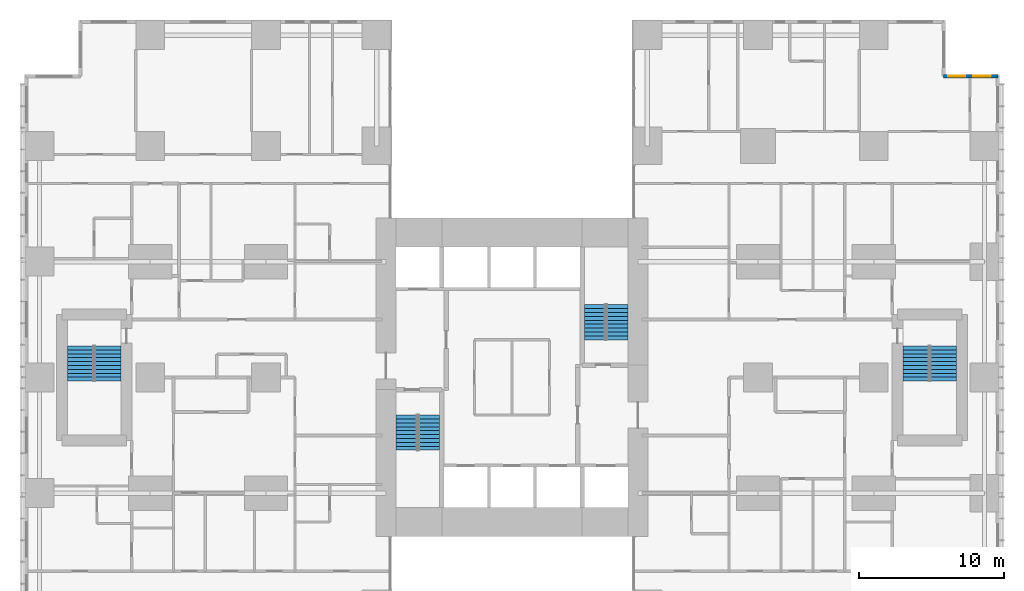
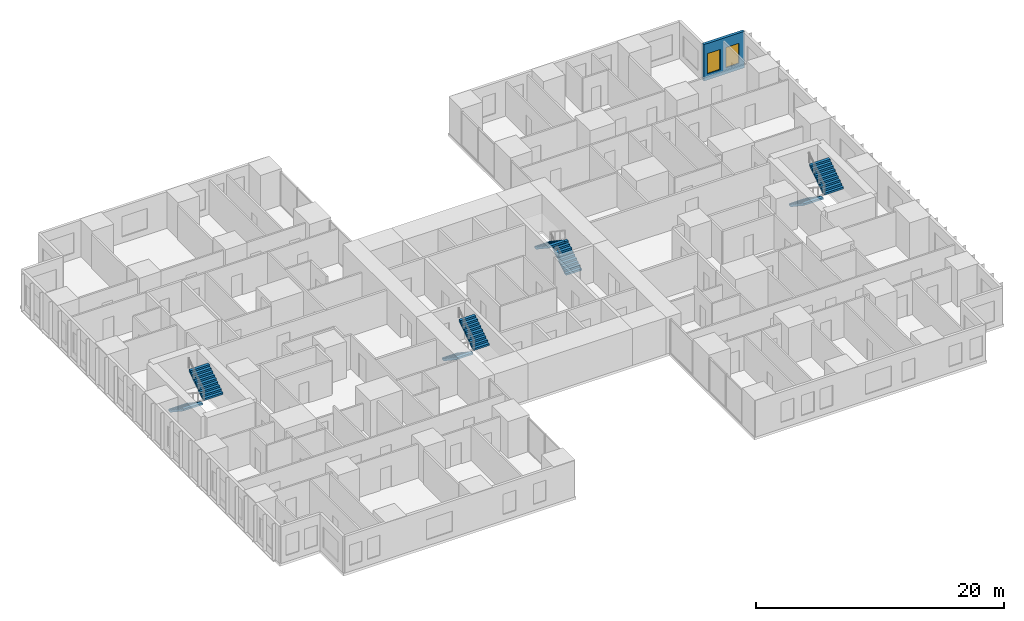
# One storey, part 19 of 20: 8 stair flights, 2 windows, 1 wall, 2 openings, 4 elements without a shape of their own.
"""IFC4 building model written with IfcOpenShell, lengths in metres."""

from ifc_helpers import new_model, si_unit, direction, frame, frame_2d, origin, place, context, subcontext, project, spatial, polyline, rectangle, outline, extrude, material, layer, layer_set, type_object, element, fill, aggregate, save


model = new_model("IFC4")

# Units and contexts
model_context = context("Model", 3, precision=1e-05, world=origin(), true_north=direction((0.0, 1.0)))
body_context = subcontext(model_context, "Body", "Model", "MODEL_VIEW")
ifc_project = project(units=[si_unit("LENGTHUNIT", "METRE"), si_unit("AREAUNIT", "SQUARE_METRE"), si_unit("VOLUMEUNIT", "CUBIC_METRE"), si_unit("PLANEANGLEUNIT", "RADIAN"), si_unit("MASSUNIT", "GRAM", prefix="KILO")], contexts=[model_context])

# Site, building, storey
site_placement = place(None, origin())
site = spatial("IfcSite", under=ifc_project, at=site_placement, CompositionType="ELEMENT")
building_placement = place(site_placement, origin())
building = spatial("IfcBuilding", under=site, at=building_placement, Name="Cleftline Residences", CompositionType="ELEMENT")
storey_placement = place(building_placement, frame((0.0, 0.0, 83.60009765625)))
storey = spatial("IfcBuildingStorey", under=building, at=storey_placement, Name="L21", CompositionType="ELEMENT", Elevation=83.60009765625)

# Wall, openings, windows
ifc_material_1 = material(Name="Rendered reinforced concrete blockwork", Category="masonry")
ifc_layer = layer(ifc_material_1, 0.25)
ifc_layer_set = layer_set([ifc_layer], Name="EXTERNAL WALL 250")
wall_type = type_object("IfcWallType", Name="EXTERNAL WALL 250", PredefinedType="SOLIDWALL", material=ifc_layer_set)
wall_placement = place(storey_placement, frame((66.574951171875, 44.824951171875, 0.0), z_axis=(0.0, 0.0, 1.0), x_axis=(-1.0, 0.0, 0.0)))
wall = element("IfcWall", 1, at=wall_placement, inside=storey, type_object=wall_type, Name="External wall", PredefinedType="SOLIDWALL", context=body_context, shape_type="SweptSolid", body=[
    extrude(rectangle(XDim=3.75, YDim=0.25, at=frame_2d((1.875, 0.0))), origin(), (0.0, 0.0, 1.0), 3.599853515625),
])
opening_1_placement = place(wall_placement, frame((0.5, 0.0, 0.60009765625)))
opening_1 = element("IfcOpeningElement", 2, at=opening_1_placement, cuts=wall, Name="Opening W8", PredefinedType="OPENING", context=body_context, shape_type="SweptSolid", body=[
    extrude(rectangle(XDim=1.199951171875, YDim=2.0, at=frame_2d((0.60009765625, 1.0))), frame((0.0, 0.135009765625, 0.0), z_axis=(0.0, -1.0, 0.0), x_axis=(1.0, 0.0, 0.0)), (0.0, 0.0, 1.0), 0.27001953125),
])
opening_2_placement = place(wall_placement, frame((2.237548828125, 0.0, 0.60009765625)))
opening_2 = element("IfcOpeningElement", 3, at=opening_2_placement, cuts=wall, Name="Opening W8", PredefinedType="OPENING", context=body_context, shape_type="SweptSolid", body=[
    extrude(rectangle(XDim=1.199951171875, YDim=2.0, at=frame_2d((0.60009765625, 1.0))), frame((0.0, 0.135009765625, 0.0), z_axis=(0.0, -1.0, 0.0), x_axis=(1.0, 0.0, 0.0)), (0.0, 0.0, 1.0), 0.27001953125),
])
ifc_material_2 = material(Name="Aluminium frame, clear double glazing", Category="aluminium")
window_type = type_object("IfcWindowType", Name="WINDOW 1200X2000", PartitioningType="DOUBLE_PANEL_VERTICAL", PredefinedType="WINDOW", material=ifc_material_2)
window_1_placement = place(opening_1_placement, origin())
window_1 = element("IfcWindow", 4, at=window_1_placement, inside=storey, type_object=window_type, Name="Window", OverallHeight=2.0, OverallWidth=1.199951171875, PartitioningType="SINGLE_PANEL", PredefinedType="WINDOW", context=body_context, shape_type="SweptSolid", body=[
    extrude(rectangle(XDim=1.199951171875, YDim=2.0, at=frame_2d((0.60009765625, 1.0))), frame((0.0, 0.030029296875, 0.0), z_axis=(0.0, -1.0, 0.0), x_axis=(1.0, 0.0, 0.0)), (0.0, 0.0, 1.0), 0.06005859375),
])
fill(opening_1, window_1)
window_2_placement = place(opening_2_placement, origin())
window_2 = element("IfcWindow", 5, at=window_2_placement, inside=storey, type_object=window_type, Name="Window", OverallHeight=2.0, OverallWidth=1.199951171875, PartitioningType="SINGLE_PANEL", PredefinedType="WINDOW", context=body_context, shape_type="SweptSolid", body=[
    extrude(rectangle(XDim=1.199951171875, YDim=2.0, at=frame_2d((0.60009765625, 1.0))), frame((0.0, 0.030029296875, 0.0), z_axis=(0.0, -1.0, 0.0), x_axis=(1.0, 0.0, 0.0)), (0.0, 0.0, 1.0), 0.06005859375),
])
fill(opening_2, window_2)

# Stair, stair flights
ifc_material_3 = material(Name="Concrete B45, stone treads", Category="masonry")
stair_type_1 = type_object("IfcStairType", Name="STAIR A 1450 WIDE 180 RISER", PredefinedType="HALF_TURN_STAIR", material=ifc_material_3)
stair_1_placement = place(storey_placement, origin())
stair_1 = element("IfcStair", 6, at=stair_1_placement, inside=storey, type_object=stair_type_1, Name="Stair A L21", PredefinedType="HALF_TURN_STAIR")
ifc_material_4 = material(Name="Concrete B45", Category="concrete")
stair_flight_type_1 = type_object("IfcStairFlightType", Name="STAIR A FLIGHT 1450X180", PredefinedType="STRAIGHT", material=ifc_material_4)
stair_flight_1_placement = place(storey_placement, frame((25.72509765625, 21.39990234375, 0.0), z_axis=(0.0, 0.0, 1.0), x_axis=(0.0, -1.0, 0.0)))
stair_flight_1 = element("IfcStairFlight", 7, at=stair_flight_1_placement, type_object=stair_flight_type_1, Name="ST-A flight 1", NumberOfRisers=10, NumberOfTreads=9, PredefinedType="STRAIGHT", RiserHeight=0.18, TreadLength=0.27, context=body_context, shape_type="SweptSolid", body=[
    extrude(outline(polyline([(0.0, 0.0), (0.0, 0.013916015625), (0.0, 0.027587890625), (0.0, 0.04150390625), (0.0, 0.055419921875), (0.0, 0.0693359375), (0.0, 0.0830078125), (0.0, 0.096923828125), (0.0, 0.11083984375), (0.0, 0.12451171875), (0.0, 0.138427734375), (0.0, 0.15234375), (0.0, 0.166259765625), (0.0, 0.179931640625), (0.27001953125, 0.179931640625), (0.27001953125, 0.360107421875), (0.5400390625, 0.360107421875), (0.5400390625, 0.5400390625), (0.81005859375, 0.5400390625), (0.81005859375, 0.719970703125), (1.080078125, 0.719970703125), (1.080078125, 0.89990234375), (1.35009765625, 0.89990234375), (1.35009765625, 1.080078125), (1.6201171875, 1.080078125), (1.6201171875, 1.260009765625), (1.889892578125, 1.260009765625), (1.889892578125, 1.43994140625), (2.159912109375, 1.43994140625), (2.159912109375, 1.6201171875), (2.429931640625, 1.6201171875), (2.429931640625, 1.800048828125), (2.429931640625, 1.772216796875), (2.429931640625, 1.74462890625), (2.429931640625, 1.716796875), (2.429931640625, 1.689208984375), (2.429931640625, 1.661376953125), (2.429931640625, 1.6337890625), (2.429931640625, 1.60595703125), (2.429931640625, 1.578369140625), (2.429931640625, 1.550537109375), (2.429931640625, 1.52294921875), (2.429931640625, 1.495361328125), (2.429931640625, 1.467529296875), (2.429931640625, 1.43994140625), (0.270263671875, 0.0), (0.0, 0.0)])), frame((0.0, 0.72509765625, 0.0), z_axis=(0.0, -1.0, 0.0), x_axis=(1.0, 0.0, 0.0)), (0.0, 0.0, 1.0), 1.449951171875),
])
stair_flight_2_placement = place(storey_placement, frame((27.27490234375, 18.969970703125, 1.7998046875), z_axis=(0.0, 0.0, 1.0), x_axis=(0.0, 1.0, 0.0)))
stair_flight_2 = element("IfcStairFlight", 8, at=stair_flight_2_placement, type_object=stair_flight_type_1, Name="ST-A flight 2", NumberOfRisers=10, NumberOfTreads=9, PredefinedType="STRAIGHT", RiserHeight=0.18, TreadLength=0.27, context=body_context, shape_type="SweptSolid", body=[
    extrude(outline(polyline([(0.0, 0.0), (0.0, 0.013916015625), (0.0, 0.027587890625), (0.0, 0.04150390625), (0.0, 0.055419921875), (0.0, 0.0693359375), (0.0, 0.0830078125), (0.0, 0.096923828125), (0.0, 0.11083984375), (0.0, 0.12451171875), (0.0, 0.138427734375), (0.0, 0.15234375), (0.0, 0.166259765625), (0.0, 0.179931640625), (0.27001953125, 0.179931640625), (0.27001953125, 0.360107421875), (0.5400390625, 0.360107421875), (0.5400390625, 0.5400390625), (0.81005859375, 0.5400390625), (0.81005859375, 0.719970703125), (1.080078125, 0.719970703125), (1.080078125, 0.89990234375), (1.35009765625, 0.89990234375), (1.35009765625, 1.080078125), (1.6201171875, 1.080078125), (1.6201171875, 1.260009765625), (1.889892578125, 1.260009765625), (1.889892578125, 1.43994140625), (2.159912109375, 1.43994140625), (2.159912109375, 1.6201171875), (2.429931640625, 1.6201171875), (2.429931640625, 1.800048828125), (2.429931640625, 1.772216796875), (2.429931640625, 1.74462890625), (2.429931640625, 1.716796875), (2.429931640625, 1.689208984375), (2.429931640625, 1.661376953125), (2.429931640625, 1.6337890625), (2.429931640625, 1.60595703125), (2.429931640625, 1.578369140625), (2.429931640625, 1.550537109375), (2.429931640625, 1.52294921875), (2.429931640625, 1.495361328125), (2.429931640625, 1.467529296875), (2.429931640625, 1.43994140625), (0.270263671875, 0.0), (0.0, 0.0)])), frame((0.0, 0.72509765625, 0.0), z_axis=(0.0, -1.0, 0.0), x_axis=(1.0, 0.0, 0.0)), (0.0, 0.0, 1.0), 1.449951171875),
])
aggregate(stair_1, [stair_flight_1, stair_flight_2])

ifc_material_5 = material(Name="Concrete B45, stone treads", Category="masonry")
stair_type_2 = type_object("IfcStairType", Name="STAIR B 1450 WIDE 180 RISER", PredefinedType="HALF_TURN_STAIR", material=ifc_material_5)
stair_2_placement = place(storey_placement, origin())
stair_2 = element("IfcStair", 9, at=stair_2_placement, inside=storey, type_object=stair_type_2, Name="Stair B L21", PredefinedType="HALF_TURN_STAIR")
ifc_material_6 = material(Name="Concrete B45", Category="concrete")
stair_flight_type_2 = type_object("IfcStairFlightType", Name="STAIR B FLIGHT 1450X180", PredefinedType="STRAIGHT", material=ifc_material_6)
stair_flight_3_placement = place(storey_placement, frame((40.27490234375, 26.60009765625, 0.0), z_axis=(0.0, 0.0, 1.0), x_axis=(0.0, 1.0, 0.0)))
stair_flight_3 = element("IfcStairFlight", 10, at=stair_flight_3_placement, type_object=stair_flight_type_2, Name="ST-B flight 1", NumberOfRisers=10, NumberOfTreads=9, PredefinedType="STRAIGHT", RiserHeight=0.18, TreadLength=0.27, context=body_context, shape_type="SweptSolid", body=[
    extrude(outline(polyline([(0.0, 0.0), (0.0, 0.013916015625), (0.0, 0.027587890625), (0.0, 0.04150390625), (0.0, 0.055419921875), (0.0, 0.0693359375), (0.0, 0.0830078125), (0.0, 0.096923828125), (0.0, 0.11083984375), (0.0, 0.12451171875), (0.0, 0.138427734375), (0.0, 0.15234375), (0.0, 0.166259765625), (0.0, 0.179931640625), (0.27001953125, 0.179931640625), (0.27001953125, 0.360107421875), (0.5400390625, 0.360107421875), (0.5400390625, 0.5400390625), (0.81005859375, 0.5400390625), (0.81005859375, 0.719970703125), (1.080078125, 0.719970703125), (1.080078125, 0.89990234375), (1.35009765625, 0.89990234375), (1.35009765625, 1.080078125), (1.6201171875, 1.080078125), (1.6201171875, 1.260009765625), (1.889892578125, 1.260009765625), (1.889892578125, 1.43994140625), (2.159912109375, 1.43994140625), (2.159912109375, 1.6201171875), (2.429931640625, 1.6201171875), (2.429931640625, 1.800048828125), (2.429931640625, 1.772216796875), (2.429931640625, 1.74462890625), (2.429931640625, 1.716796875), (2.429931640625, 1.689208984375), (2.429931640625, 1.661376953125), (2.429931640625, 1.6337890625), (2.429931640625, 1.60595703125), (2.429931640625, 1.578369140625), (2.429931640625, 1.550537109375), (2.429931640625, 1.52294921875), (2.429931640625, 1.495361328125), (2.429931640625, 1.467529296875), (2.429931640625, 1.43994140625), (0.270263671875, 0.0), (0.0, 0.0)])), frame((0.0, 0.72509765625, 0.0), z_axis=(0.0, -1.0, 0.0), x_axis=(1.0, 0.0, 0.0)), (0.0, 0.0, 1.0), 1.449951171875),
])
stair_flight_4_placement = place(storey_placement, frame((38.72509765625, 29.030029296875, 1.7998046875), z_axis=(0.0, 0.0, 1.0), x_axis=(0.0, -1.0, 0.0)))
stair_flight_4 = element("IfcStairFlight", 11, at=stair_flight_4_placement, type_object=stair_flight_type_2, Name="ST-B flight 2", NumberOfRisers=10, NumberOfTreads=9, PredefinedType="STRAIGHT", RiserHeight=0.18, TreadLength=0.27, context=body_context, shape_type="SweptSolid", body=[
    extrude(outline(polyline([(0.0, 0.0), (0.0, 0.013916015625), (0.0, 0.027587890625), (0.0, 0.04150390625), (0.0, 0.055419921875), (0.0, 0.0693359375), (0.0, 0.0830078125), (0.0, 0.096923828125), (0.0, 0.11083984375), (0.0, 0.12451171875), (0.0, 0.138427734375), (0.0, 0.15234375), (0.0, 0.166259765625), (0.0, 0.179931640625), (0.27001953125, 0.179931640625), (0.27001953125, 0.360107421875), (0.5400390625, 0.360107421875), (0.5400390625, 0.5400390625), (0.81005859375, 0.5400390625), (0.81005859375, 0.719970703125), (1.080078125, 0.719970703125), (1.080078125, 0.89990234375), (1.35009765625, 0.89990234375), (1.35009765625, 1.080078125), (1.6201171875, 1.080078125), (1.6201171875, 1.260009765625), (1.889892578125, 1.260009765625), (1.889892578125, 1.43994140625), (2.159912109375, 1.43994140625), (2.159912109375, 1.6201171875), (2.429931640625, 1.6201171875), (2.429931640625, 1.800048828125), (2.429931640625, 1.772216796875), (2.429931640625, 1.74462890625), (2.429931640625, 1.716796875), (2.429931640625, 1.689208984375), (2.429931640625, 1.661376953125), (2.429931640625, 1.6337890625), (2.429931640625, 1.60595703125), (2.429931640625, 1.578369140625), (2.429931640625, 1.550537109375), (2.429931640625, 1.52294921875), (2.429931640625, 1.495361328125), (2.429931640625, 1.467529296875), (2.429931640625, 1.43994140625), (0.270263671875, 0.0), (0.0, 0.0)])), frame((0.0, 0.72509765625, 0.0), z_axis=(0.0, -1.0, 0.0), x_axis=(1.0, 0.0, 0.0)), (0.0, 0.0, 1.0), 1.449951171875),
])
aggregate(stair_2, [stair_flight_3, stair_flight_4])

ifc_material_7 = material(Name="Concrete B45, stone treads", Category="masonry")
stair_type_3 = type_object("IfcStairType", Name="STAIR E 1800 WIDE 180 RISER", PredefinedType="HALF_TURN_STAIR", material=ifc_material_7)
stair_3_placement = place(storey_placement, origin())
stair_3 = element("IfcStair", 12, at=stair_3_placement, inside=storey, type_object=stair_type_3, Name="Stair E L21", PredefinedType="HALF_TURN_STAIR")
ifc_material_8 = material(Name="Concrete B45", Category="concrete")
stair_flight_type_3 = type_object("IfcStairFlightType", Name="STAIR E FLIGHT 1800X180", PredefinedType="STRAIGHT", material=ifc_material_8)
stair_flight_5_placement = place(storey_placement, frame((60.925048828125, 26.175048828125, 0.0), z_axis=(0.0, 0.0, 1.0), x_axis=(0.0, -1.0, 0.0)))
stair_flight_5 = element("IfcStairFlight", 13, at=stair_flight_5_placement, type_object=stair_flight_type_3, Name="ST-E flight 1", NumberOfRisers=10, NumberOfTreads=9, PredefinedType="STRAIGHT", RiserHeight=0.18, TreadLength=0.27, context=body_context, shape_type="SweptSolid", body=[
    extrude(outline(polyline([(0.0, 0.0), (0.0, 0.013916015625), (0.0, 0.027587890625), (0.0, 0.04150390625), (0.0, 0.055419921875), (0.0, 0.0693359375), (0.0, 0.0830078125), (0.0, 0.096923828125), (0.0, 0.11083984375), (0.0, 0.12451171875), (0.0, 0.138427734375), (0.0, 0.15234375), (0.0, 0.166259765625), (0.0, 0.179931640625), (0.27001953125, 0.179931640625), (0.27001953125, 0.360107421875), (0.5400390625, 0.360107421875), (0.5400390625, 0.5400390625), (0.81005859375, 0.5400390625), (0.81005859375, 0.719970703125), (1.080078125, 0.719970703125), (1.080078125, 0.89990234375), (1.35009765625, 0.89990234375), (1.35009765625, 1.080078125), (1.6201171875, 1.080078125), (1.6201171875, 1.260009765625), (1.889892578125, 1.260009765625), (1.889892578125, 1.43994140625), (2.159912109375, 1.43994140625), (2.159912109375, 1.6201171875), (2.429931640625, 1.6201171875), (2.429931640625, 1.800048828125), (2.429931640625, 1.772216796875), (2.429931640625, 1.74462890625), (2.429931640625, 1.716796875), (2.429931640625, 1.689208984375), (2.429931640625, 1.661376953125), (2.429931640625, 1.6337890625), (2.429931640625, 1.60595703125), (2.429931640625, 1.578369140625), (2.429931640625, 1.550537109375), (2.429931640625, 1.52294921875), (2.429931640625, 1.495361328125), (2.429931640625, 1.467529296875), (2.429931640625, 1.43994140625), (0.270263671875, 0.0), (0.0, 0.0)])), frame((0.0, 0.89990234375, 0.0), z_axis=(0.0, -1.0, 0.0), x_axis=(1.0, 0.0, 0.0)), (0.0, 0.0, 1.0), 1.800048828125),
])
stair_flight_6_placement = place(storey_placement, frame((62.824951171875, 23.7451171875, 1.7998046875), z_axis=(0.0, 0.0, 1.0), x_axis=(0.0, 1.0, 0.0)))
stair_flight_6 = element("IfcStairFlight", 14, at=stair_flight_6_placement, type_object=stair_flight_type_3, Name="ST-E flight 2", NumberOfRisers=10, NumberOfTreads=9, PredefinedType="STRAIGHT", RiserHeight=0.18, TreadLength=0.27, context=body_context, shape_type="SweptSolid", body=[
    extrude(outline(polyline([(0.0, 0.0), (0.0, 0.013916015625), (0.0, 0.027587890625), (0.0, 0.04150390625), (0.0, 0.055419921875), (0.0, 0.0693359375), (0.0, 0.0830078125), (0.0, 0.096923828125), (0.0, 0.11083984375), (0.0, 0.12451171875), (0.0, 0.138427734375), (0.0, 0.15234375), (0.0, 0.166259765625), (0.0, 0.179931640625), (0.27001953125, 0.179931640625), (0.27001953125, 0.360107421875), (0.5400390625, 0.360107421875), (0.5400390625, 0.5400390625), (0.81005859375, 0.5400390625), (0.81005859375, 0.719970703125), (1.080078125, 0.719970703125), (1.080078125, 0.89990234375), (1.35009765625, 0.89990234375), (1.35009765625, 1.080078125), (1.6201171875, 1.080078125), (1.6201171875, 1.260009765625), (1.889892578125, 1.260009765625), (1.889892578125, 1.43994140625), (2.159912109375, 1.43994140625), (2.159912109375, 1.6201171875), (2.429931640625, 1.6201171875), (2.429931640625, 1.800048828125), (2.429931640625, 1.772216796875), (2.429931640625, 1.74462890625), (2.429931640625, 1.716796875), (2.429931640625, 1.689208984375), (2.429931640625, 1.661376953125), (2.429931640625, 1.6337890625), (2.429931640625, 1.60595703125), (2.429931640625, 1.578369140625), (2.429931640625, 1.550537109375), (2.429931640625, 1.52294921875), (2.429931640625, 1.495361328125), (2.429931640625, 1.467529296875), (2.429931640625, 1.43994140625), (0.270263671875, 0.0), (0.0, 0.0)])), frame((0.0, 0.89990234375, 0.0), z_axis=(0.0, -1.0, 0.0), x_axis=(1.0, 0.0, 0.0)), (0.0, 0.0, 1.0), 1.800048828125),
])
aggregate(stair_3, [stair_flight_5, stair_flight_6])

ifc_material_9 = material(Name="Concrete B45, stone treads", Category="masonry")
stair_type_4 = type_object("IfcStairType", Name="STAIR W 1800 WIDE 180 RISER", PredefinedType="HALF_TURN_STAIR", material=ifc_material_9)
stair_4_placement = place(storey_placement, origin())
stair_4 = element("IfcStair", 15, at=stair_4_placement, inside=storey, type_object=stair_type_4, Name="Stair W L21", PredefinedType="HALF_TURN_STAIR")
ifc_material_10 = material(Name="Concrete B45", Category="concrete")
stair_flight_type_4 = type_object("IfcStairFlightType", Name="STAIR W FLIGHT 1800X180", PredefinedType="STRAIGHT", material=ifc_material_10)
stair_flight_7_placement = place(storey_placement, frame((3.175048828125, 26.175048828125, 0.0), z_axis=(0.0, 0.0, 1.0), x_axis=(0.0, -1.0, 0.0)))
stair_flight_7 = element("IfcStairFlight", 16, at=stair_flight_7_placement, type_object=stair_flight_type_4, Name="ST-W flight 1", NumberOfRisers=10, NumberOfTreads=9, PredefinedType="STRAIGHT", RiserHeight=0.18, TreadLength=0.27, context=body_context, shape_type="SweptSolid", body=[
    extrude(outline(polyline([(0.0, 0.0), (0.0, 0.013916015625), (0.0, 0.027587890625), (0.0, 0.04150390625), (0.0, 0.055419921875), (0.0, 0.0693359375), (0.0, 0.0830078125), (0.0, 0.096923828125), (0.0, 0.11083984375), (0.0, 0.12451171875), (0.0, 0.138427734375), (0.0, 0.15234375), (0.0, 0.166259765625), (0.0, 0.179931640625), (0.27001953125, 0.179931640625), (0.27001953125, 0.360107421875), (0.5400390625, 0.360107421875), (0.5400390625, 0.5400390625), (0.81005859375, 0.5400390625), (0.81005859375, 0.719970703125), (1.080078125, 0.719970703125), (1.080078125, 0.89990234375), (1.35009765625, 0.89990234375), (1.35009765625, 1.080078125), (1.6201171875, 1.080078125), (1.6201171875, 1.260009765625), (1.889892578125, 1.260009765625), (1.889892578125, 1.43994140625), (2.159912109375, 1.43994140625), (2.159912109375, 1.6201171875), (2.429931640625, 1.6201171875), (2.429931640625, 1.800048828125), (2.429931640625, 1.772216796875), (2.429931640625, 1.74462890625), (2.429931640625, 1.716796875), (2.429931640625, 1.689208984375), (2.429931640625, 1.661376953125), (2.429931640625, 1.6337890625), (2.429931640625, 1.60595703125), (2.429931640625, 1.578369140625), (2.429931640625, 1.550537109375), (2.429931640625, 1.52294921875), (2.429931640625, 1.495361328125), (2.429931640625, 1.467529296875), (2.429931640625, 1.43994140625), (0.270263671875, 0.0), (0.0, 0.0)])), frame((0.0, 0.89990234375, 0.0), z_axis=(0.0, -1.0, 0.0), x_axis=(1.0, 0.0, 0.0)), (0.0, 0.0, 1.0), 1.800048828125),
])
stair_flight_8_placement = place(storey_placement, frame((5.074951171875, 23.7451171875, 1.7998046875), z_axis=(0.0, 0.0, 1.0), x_axis=(0.0, 1.0, 0.0)))
stair_flight_8 = element("IfcStairFlight", 17, at=stair_flight_8_placement, type_object=stair_flight_type_4, Name="ST-W flight 2", NumberOfRisers=10, NumberOfTreads=9, PredefinedType="STRAIGHT", RiserHeight=0.18, TreadLength=0.27, context=body_context, shape_type="SweptSolid", body=[
    extrude(outline(polyline([(0.0, 0.0), (0.0, 0.013916015625), (0.0, 0.027587890625), (0.0, 0.04150390625), (0.0, 0.055419921875), (0.0, 0.0693359375), (0.0, 0.0830078125), (0.0, 0.096923828125), (0.0, 0.11083984375), (0.0, 0.12451171875), (0.0, 0.138427734375), (0.0, 0.15234375), (0.0, 0.166259765625), (0.0, 0.179931640625), (0.27001953125, 0.179931640625), (0.27001953125, 0.360107421875), (0.5400390625, 0.360107421875), (0.5400390625, 0.5400390625), (0.81005859375, 0.5400390625), (0.81005859375, 0.719970703125), (1.080078125, 0.719970703125), (1.080078125, 0.89990234375), (1.35009765625, 0.89990234375), (1.35009765625, 1.080078125), (1.6201171875, 1.080078125), (1.6201171875, 1.260009765625), (1.889892578125, 1.260009765625), (1.889892578125, 1.43994140625), (2.159912109375, 1.43994140625), (2.159912109375, 1.6201171875), (2.429931640625, 1.6201171875), (2.429931640625, 1.800048828125), (2.429931640625, 1.772216796875), (2.429931640625, 1.74462890625), (2.429931640625, 1.716796875), (2.429931640625, 1.689208984375), (2.429931640625, 1.661376953125), (2.429931640625, 1.6337890625), (2.429931640625, 1.60595703125), (2.429931640625, 1.578369140625), (2.429931640625, 1.550537109375), (2.429931640625, 1.52294921875), (2.429931640625, 1.495361328125), (2.429931640625, 1.467529296875), (2.429931640625, 1.43994140625), (0.270263671875, 0.0), (0.0, 0.0)])), frame((0.0, 0.89990234375, 0.0), z_axis=(0.0, -1.0, 0.0), x_axis=(1.0, 0.0, 0.0)), (0.0, 0.0, 1.0), 1.800048828125),
])
aggregate(stair_4, [stair_flight_7, stair_flight_8])

save(model, "model.ifc")
